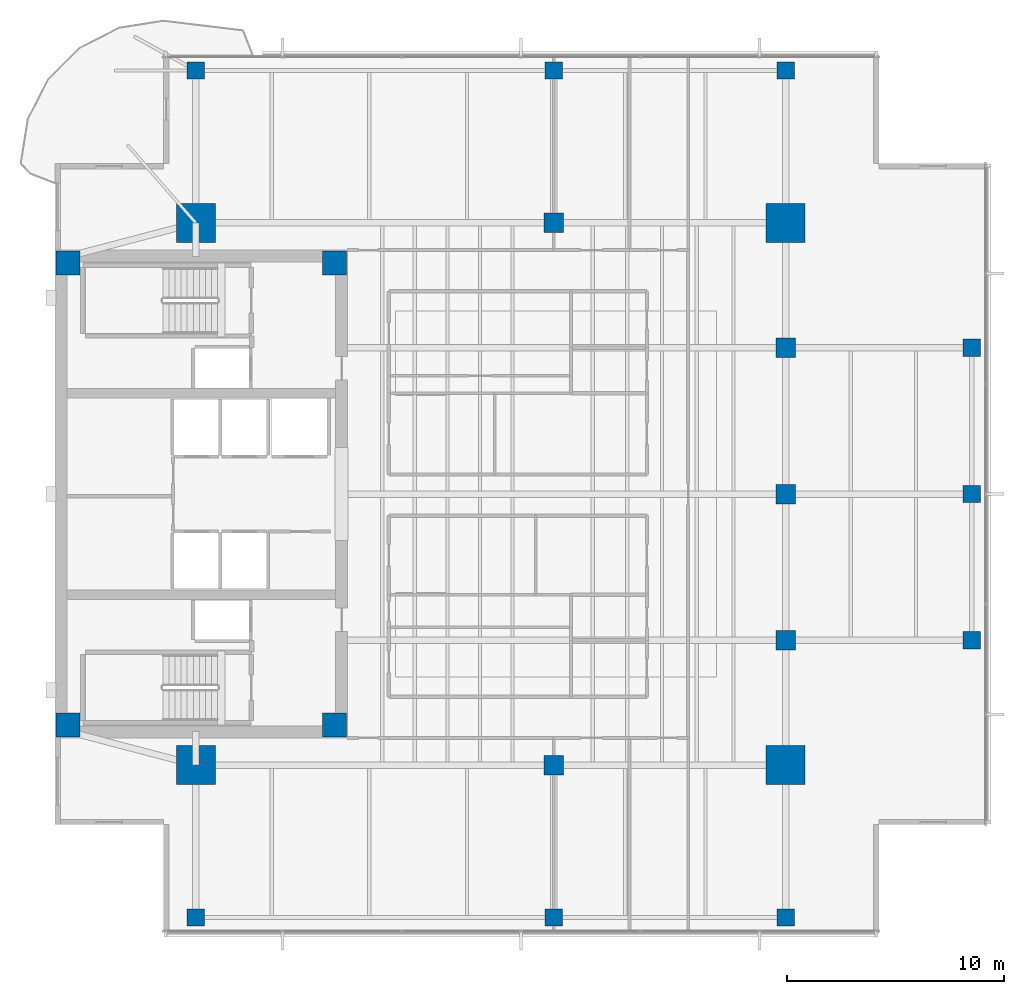
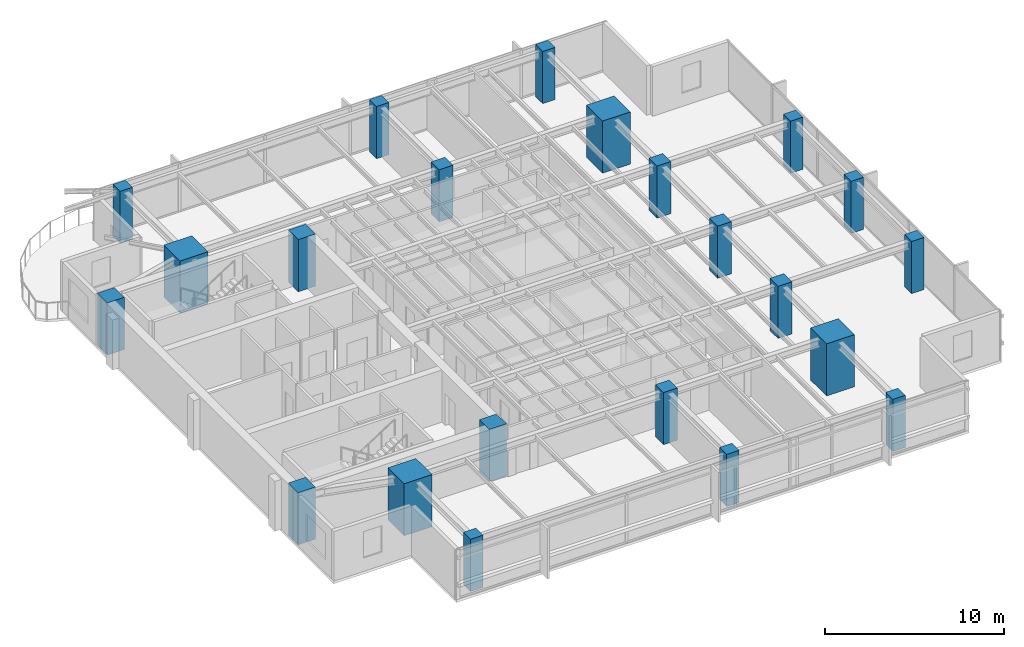
# One storey, part 1 of 14: 22 columns.
"""IFC4 building model written with IfcOpenShell, lengths in metres."""

from ifc_helpers import new_model, si_unit, direction, frame, origin, origin_2d, place, context, subcontext, project, spatial, rectangle, extrude, material, material_profile, profile_set, type_object, element, save


model = new_model("IFC4")

# Units and contexts
model_context = context("Model", 3, precision=1e-05, world=origin(), true_north=direction((0.0, 1.0)))
body_context = subcontext(model_context, "Body", "Model", "MODEL_VIEW")
ifc_project = project(units=[si_unit("LENGTHUNIT", "METRE"), si_unit("AREAUNIT", "SQUARE_METRE"), si_unit("VOLUMEUNIT", "CUBIC_METRE"), si_unit("PLANEANGLEUNIT", "RADIAN"), si_unit("MASSUNIT", "GRAM", prefix="KILO")], contexts=[model_context])

# Site, building, storey
site_placement = place(None, origin())
site = spatial("IfcSite", under=ifc_project, at=site_placement, CompositionType="ELEMENT")
building_placement = place(site_placement, origin())
building = spatial("IfcBuilding", under=site, at=building_placement, Name="Kinhvarn Gate Tower", CompositionType="ELEMENT")
storey_placement = place(building_placement, frame((0.0, 0.0, 216.449951171875)))
storey = spatial("IfcBuildingStorey", under=building, at=storey_placement, Name="L57", CompositionType="ELEMENT", Elevation=216.449951171875)

# Columns
ifc_material_1 = material(Name="Concrete C60/75", Category="concrete")
ifc_material_profile_1 = material_profile(ifc_material_1, rectangle(XDim=1.800048828125, YDim=1.800048828125, at=origin_2d()), Name="RC 1800x1800")
ifc_profile_set_1 = profile_set([ifc_material_profile_1], Name="Concrete C60/75")
column_type_1 = type_object("IfcColumnType", Name="COL-MC-1800", PredefinedType="COLUMN", material=ifc_profile_set_1)
for number, where, z_axis, x_axis, name in (
    (1, (11.0, 12.75, 0.0), (0.0, 0.0, 1.0), (1.0, 0.0, 0.0), "Column MC1-L57 (MC-18)"),
    (2, (11.0, 37.75, 0.0), (0.0, 0.0, 1.0), (1.0, 0.0, 0.0), "Column MC4-L57 (MC-18)"),
    (3, (38.199951171875, 12.75, 0.0), (0.0, 0.0, 1.0), (1.0, 0.0, 0.0), "Column MC2-L57 (MC-18)"),
    (4, (38.199951171875, 37.75, 0.0), (0.0, 0.0, 1.0), (1.0, 0.0, 0.0), "Column MC3-L57 (MC-18)"),
):
    element("IfcColumn", number, at=place(storey_placement, frame(where, z_axis=z_axis, x_axis=x_axis)), inside=storey, type_object=column_type_1, Name=name, PredefinedType="COLUMN", context=body_context, shape_type="SweptSolid", body=[
        extrude(rectangle(XDim=1.800048828125, YDim=1.800048828125, at=origin_2d()), origin(), (0.0, 0.0, 1.0), 3.550048828125),
    ])
ifc_material_2 = material(Name="Concrete C50/60", Category="concrete")
ifc_material_profile_2 = material_profile(ifc_material_2, rectangle(XDim=0.800048828125, YDim=0.800048828125, at=origin_2d()), Name="RC 800x800")
ifc_profile_set_2 = profile_set([ifc_material_profile_2], Name="Concrete C50/60")
column_type_2 = type_object("IfcColumnType", Name="COL-RC-800", PredefinedType="COLUMN", material=ifc_profile_set_2)
for number, where, z_axis, x_axis, name in (
    (5, (46.780029296875, 18.5, 0.0), (0.0, 0.0, 1.0), (1.0, 0.0, 0.0), "Column CE-1-L57 (C-080)"),
    (6, (46.780029296875, 25.25, 0.0), (0.0, 0.0, 1.0), (1.0, 0.0, 0.0), "Column CE-2-L57 (C-080)"),
    (7, (46.780029296875, 32.0, 0.0), (0.0, 0.0, 1.0), (1.0, 0.0, 0.0), "Column CE-3-L57 (C-080)"),
    (8, (11.0, 5.719970703125, 0.0), (0.0, 0.0, 1.0), (1.0, 0.0, 0.0), "Column CS-0-L57 (C-080)"),
    (9, (27.5, 5.719970703125, 0.0), (0.0, 0.0, 1.0), (1.0, 0.0, 0.0), "Column CS-1-L57 (C-080)"),
    (10, (38.199951171875, 5.719970703125, 0.0), (0.0, 0.0, 1.0), (1.0, 0.0, 0.0), "Column CS-2-L57 (C-080)"),
    (11, (11.0, 44.780029296875, 0.0), (0.0, 0.0, 1.0), (1.0, 0.0, 0.0), "Column CN-0-L57 (C-080)"),
    (12, (27.5, 44.780029296875, 0.0), (0.0, 0.0, 1.0), (1.0, 0.0, 0.0), "Column CN-1-L57 (C-080)"),
    (13, (38.199951171875, 44.780029296875, 0.0), (0.0, 0.0, 1.0), (1.0, 0.0, 0.0), "Column CN-2-L57 (C-080)"),
):
    element("IfcColumn", number, at=place(storey_placement, frame(where, z_axis=z_axis, x_axis=x_axis)), inside=storey, type_object=column_type_2, Name=name, PredefinedType="COLUMN", context=body_context, shape_type="SweptSolid", body=[
        extrude(rectangle(XDim=0.800048828125, YDim=0.800048828125, at=origin_2d()), origin(), (0.0, 0.0, 1.0), 3.550048828125),
    ])
ifc_material_profile_3 = material_profile(ifc_material_1, rectangle(XDim=0.89990234375, YDim=0.89990234375, at=origin_2d()), Name="RC 900x900")
ifc_profile_set_3 = profile_set([ifc_material_profile_3], Name="Concrete C60/75")
column_type_3 = type_object("IfcColumnType", Name="COL-RC-900", PredefinedType="COLUMN", material=ifc_profile_set_3)
for number, where, z_axis, x_axis, name in (
    (14, (27.5, 12.75, 0.0), (0.0, 0.0, 1.0), (1.0, 0.0, 0.0), "Column SP27-S-L57 (C-090)"),
    (15, (27.5, 37.75, 0.0), (0.0, 0.0, 1.0), (1.0, 0.0, 0.0), "Column SP27-N-L57 (C-090)"),
    (16, (38.199951171875, 18.5, 0.0), (0.0, 0.0, 1.0), (1.0, 0.0, 0.0), "Column SP38-E1-L57 (C-090)"),
    (17, (38.199951171875, 25.25, 0.0), (0.0, 0.0, 1.0), (1.0, 0.0, 0.0), "Column SP38-E2-L57 (C-090)"),
    (18, (38.199951171875, 32.0, 0.0), (0.0, 0.0, 1.0), (1.0, 0.0, 0.0), "Column SP38-E3-L57 (C-090)"),
):
    element("IfcColumn", number, at=place(storey_placement, frame(where, z_axis=z_axis, x_axis=x_axis)), inside=storey, type_object=column_type_3, Name=name, PredefinedType="COLUMN", context=body_context, shape_type="SweptSolid", body=[
        extrude(rectangle(XDim=0.89990234375, YDim=0.89990234375, at=origin_2d()), origin(), (0.0, 0.0, 1.0), 3.550048828125),
    ])
ifc_material_profile_4 = material_profile(ifc_material_1, rectangle(XDim=1.10009765625, YDim=1.10009765625, at=origin_2d()), Name="RC 1100x1100")
ifc_profile_set_4 = profile_set([ifc_material_profile_4], Name="Concrete C60/75")
column_type_4 = type_object("IfcColumnType", Name="PIL-RC-1100", PredefinedType="PILASTER", material=ifc_profile_set_4)
for number, where, z_axis, x_axis, name in (
    (19, (5.10009765625, 14.60009765625, 0.0), (0.0, 0.0, 1.0), (1.0, 0.0, 0.0), "Column CC-SW-L57 (CP-110)"),
    (20, (5.10009765625, 35.89990234375, 0.0), (0.0, 0.0, 1.0), (1.0, 0.0, 0.0), "Column CC-NW-L57 (CP-110)"),
    (21, (17.39990234375, 14.60009765625, 0.0), (0.0, 0.0, 1.0), (1.0, 0.0, 0.0), "Column CC-SE-L57 (CP-110)"),
    (22, (17.39990234375, 35.89990234375, 0.0), (0.0, 0.0, 1.0), (1.0, 0.0, 0.0), "Column CC-NE-L57 (CP-110)"),
):
    element("IfcColumn", number, at=place(storey_placement, frame(where, z_axis=z_axis, x_axis=x_axis)), inside=storey, type_object=column_type_4, Name=name, PredefinedType="PILASTER", context=body_context, shape_type="SweptSolid", body=[
        extrude(rectangle(XDim=1.10009765625, YDim=1.10009765625, at=origin_2d()), origin(), (0.0, 0.0, 1.0), 3.550048828125),
    ])

save(model, "model.ifc")
